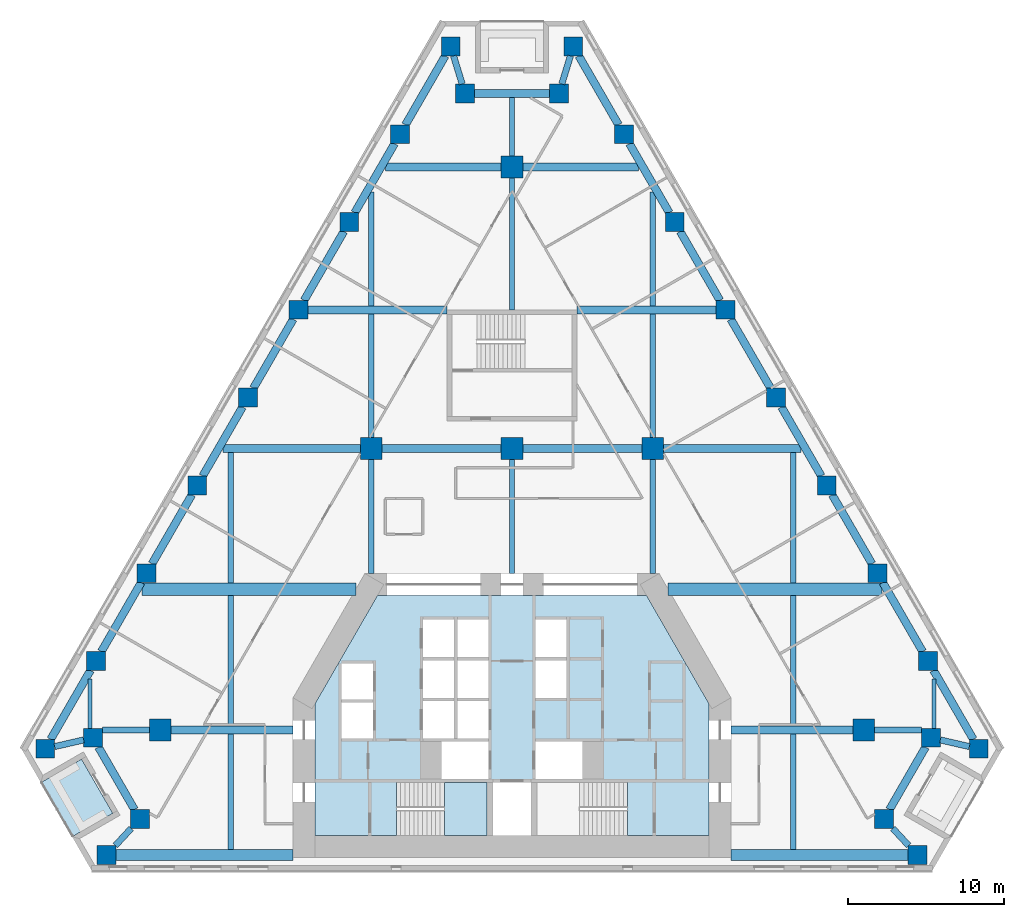
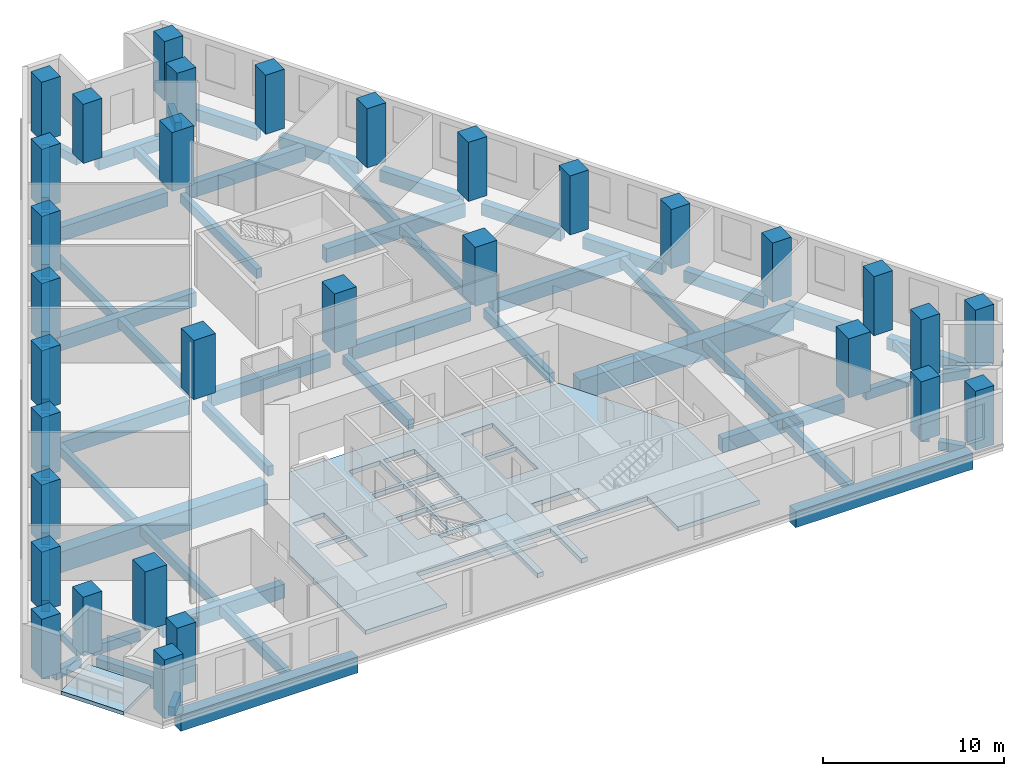
# One storey, part 1 of 9: 58 beams, 32 columns, 3 slabs, 1 element without a shape of its own.
"""IFC4 building model written with IfcOpenShell, lengths in metres."""

import ifcopenshell
import ifcopenshell.guid

model = None  # the IFC model being written
_history = None  # IfcOwnerHistory: only IFC2X3 demands one
_inside = {}  # id of a spatial element -> (the spatial element, [elements in it])
_under = {}  # id of a project, library or spatial element -> (it, [spatial elements below it])
_declared = {}  # id of a project -> (the project, [libraries it declares])
_typed = {}  # id of a type object -> (the type object, [elements of that type])
_made_of = {}  # id of a material, layer set ... -> (it, [elements and type objects made of it])


def new_model(schema):
    """Start an empty IFC model of exactly this schema.

    Asked for "IFC4X3", IfcOpenShell would pick the latest addendum, in which some entities
    have other attributes; the version numbers below select the first issue.
    IFC2X3 requires an IfcOwnerHistory on every rooted entity: one is made here for all.
    """
    global model, _history
    if schema == "IFC4X3":
        model = ifcopenshell.file(schema_version=(4, 3, 0, 0))
    else:
        model = ifcopenshell.file(schema=schema)
    _inside.clear()
    _under.clear()
    _declared.clear()
    _typed.clear()
    _made_of.clear()
    _history = None
    if model.schema == "IFC2X3":
        org = make("IfcOrganization", Name="unknown")
        user = make(
            "IfcPersonAndOrganization",
            ThePerson=make("IfcPerson", FamilyName="unknown"),
            TheOrganization=org,
        )
        app = make(
            "IfcApplication",
            ApplicationDeveloper=org,
            Version="unknown",
            ApplicationFullName="unknown",
            ApplicationIdentifier="unknown",
        )
        _history = make(
            "IfcOwnerHistory",
            OwningUser=user,
            OwningApplication=app,
            ChangeAction="ADDED",
            CreationDate=0,
        )
    return model


def make(cls, **values):
    """One entity of the class cls with the attributes given. An attribute that is None is left unset."""
    return model.create_entity(
        cls, **{name: value for name, value in values.items() if value is not None}
    )


def rooted(cls, **values):
    """An entity with a GlobalId (a new one), such as an element, a storey or a relation."""
    return make(cls, GlobalId=ifcopenshell.guid.new(), OwnerHistory=_history, **values)


def si_unit(unit_type, name, prefix=None):
    """IfcSIUnit, for example si_unit("LENGTHUNIT", "METRE", prefix="MILLI")."""
    return make("IfcSIUnit", UnitType=unit_type, Prefix=prefix, Name=name)


def assignment(units):
    """IfcUnitAssignment: the units of a project."""
    return None if units is None else make("IfcUnitAssignment", Units=units)


def point(xyz):
    """IfcCartesianPoint."""
    return None if xyz is None else make("IfcCartesianPoint", Coordinates=xyz)


def direction(xyz):
    """IfcDirection."""
    return None if xyz is None else make("IfcDirection", DirectionRatios=xyz)


def frame(location, z_axis=None, x_axis=None):
    """IfcAxis2Placement3D, a coordinate frame: its origin and axes. An axis left out is left unset."""
    return make(
        "IfcAxis2Placement3D",
        Location=point(location),
        Axis=direction(z_axis),
        RefDirection=direction(x_axis),
    )


def frame_2d(location, x_axis=None):
    """IfcAxis2Placement2D, a coordinate frame in the plane: its origin and x axis."""
    return make(
        "IfcAxis2Placement2D", Location=point(location), RefDirection=direction(x_axis)
    )


def origin():
    """The frame at (0, 0, 0) with its axes left unset."""
    return frame((0.0, 0.0, 0.0))


def origin_2d():
    """The frame at (0, 0) in the plane with its x axis left unset."""
    return frame_2d((0.0, 0.0))


def place(relative_to, where):
    """IfcLocalPlacement: puts the frame where relative to a parent placement (None: the world)."""
    return make(
        "IfcLocalPlacement", PlacementRelTo=relative_to, RelativePlacement=where
    )


def context(
    kind, dimensions, precision=None, world=None, true_north=None, identifier=None
):
    """IfcGeometricRepresentationContext, for example the 3D "Model" context."""
    return make(
        "IfcGeometricRepresentationContext",
        ContextIdentifier=identifier,
        ContextType=kind,
        CoordinateSpaceDimension=dimensions,
        Precision=precision,
        WorldCoordinateSystem=world,
        TrueNorth=true_north,
    )


def subcontext(parent, identifier, kind, view, scale=None):
    """IfcGeometricRepresentationSubContext, for example "Body" below "Model"."""
    return make(
        "IfcGeometricRepresentationSubContext",
        ContextIdentifier=identifier,
        ContextType=kind,
        ParentContext=parent,
        TargetScale=scale,
        TargetView=view,
    )


def project(units=None, contexts=None):
    """IfcProject with its units and contexts."""
    return rooted(
        "IfcProject",
        Name="project",
        RepresentationContexts=contexts,
        UnitsInContext=assignment(units),
    )


def spatial(cls, under=None, at=None, **own):
    """A site, building, storey or space (cls), placed at a placement, below another one or the project."""
    s = rooted(cls, ObjectPlacement=at, **own)
    if under is not None:
        _under.setdefault(under.id(), (under, []))[1].append(s)
    return s


def polyline(points):
    """IfcPolyline through the points."""
    return make("IfcPolyline", Points=[point(p) for p in points])


def profile(cls, at=None, kind="AREA", **sizes):
    """A parametric profile (cls). Its sizes go by their IFC names, for example OverallWidth=200.0."""
    return make(cls, ProfileType=kind, Position=at, **sizes)


def rectangle(**sizes):
    """IfcRectangleProfileDef."""
    return profile("IfcRectangleProfileDef", **sizes)


def outline(outer, holes=None, kind="AREA"):
    """IfcArbitraryClosedProfileDef: a profile drawn as a closed curve; with holes, ...WithVoids."""
    if holes is None:
        return make("IfcArbitraryClosedProfileDef", ProfileType=kind, OuterCurve=outer)
    return make(
        "IfcArbitraryProfileDefWithVoids",
        ProfileType=kind,
        OuterCurve=outer,
        InnerCurves=holes,
    )


def extrude(swept, where, along, depth):
    """IfcExtrudedAreaSolid: the profile swept, set in the frame where, extruded along a direction by depth."""
    return make(
        "IfcExtrudedAreaSolid",
        SweptArea=swept,
        Position=where,
        ExtrudedDirection=direction(along),
        Depth=depth,
    )


def shape(context_of_items, identifier, shape_type, items):
    """IfcShapeRepresentation: the items that make up one representation, for example the "Body"."""
    return make(
        "IfcShapeRepresentation",
        ContextOfItems=context_of_items,
        RepresentationIdentifier=identifier,
        RepresentationType=shape_type,
        Items=items,
    )


def material(Name=None, Category=None):
    """IfcMaterial."""
    return make("IfcMaterial", Name=Name, Category=Category)


def layer(
    of_material, thickness, ventilated=None, Name=None, Category=None, Priority=None
):
    """IfcMaterialLayer: one layer of a wall or slab, of a material (None: an air gap)."""
    return make(
        "IfcMaterialLayer",
        Material=of_material,
        LayerThickness=thickness,
        IsVentilated=ventilated,
        Name=Name,
        Category=Category,
        Priority=Priority,
    )


def layer_set(layers, Name=None):
    """IfcMaterialLayerSet."""
    return make("IfcMaterialLayerSet", MaterialLayers=layers, LayerSetName=Name)


def material_profile(
    of_material, cross_section, Name=None, Category=None, Priority=None
):
    """IfcMaterialProfile: a cross section and its material."""
    return make(
        "IfcMaterialProfile",
        Name=Name,
        Material=of_material,
        Profile=cross_section,
        Priority=Priority,
        Category=Category,
    )


def profile_set(profiles, Name=None, composite=None):
    """IfcMaterialProfileSet."""
    return make(
        "IfcMaterialProfileSet",
        Name=Name,
        MaterialProfiles=profiles,
        CompositeProfile=composite,
    )


def made_of(thing, what):
    """Note that an element or type object is made of a material, layer set ...; save() writes the relation."""
    if what is not None:
        _made_of.setdefault(what.id(), (what, []))[1].append(thing)
    return thing


def type_object(cls, material=None, **own):
    """A type object (cls), such as IfcWallType, which elements share."""
    return made_of(rooted(cls, **own), material)


def element(
    cls,
    number,
    at=None,
    inside=None,
    cuts=None,
    type_object=None,
    material=None,
    context=None,
    identifier="Body",
    shape_type=None,
    held_by="IfcProductDefinitionShape",
    body=None,
    shapes=None,
    **own,
):
    """One element of the class cls, such as IfcWall. Its Tag is "e" and its number.

    at: its placement. inside: the storey or other place that contains it. cuts: it is an
    opening in that element (IfcRelVoidsElement). A single representation is given by context,
    identifier, shape_type and body (its items); several are given by shapes. held_by: the class
    of the entity that holds the representations. save() writes the other relations.
    """
    e = rooted(cls, Tag="e%d" % number, ObjectPlacement=at, **own)
    if body is not None:
        shapes = [shape(context, identifier, shape_type, body)]
    if shapes is not None:
        e.Representation = make(held_by, Representations=shapes)
    if inside is not None:
        _inside.setdefault(inside.id(), (inside, []))[1].append(e)
    if cuts is not None:
        rooted(
            "IfcRelVoidsElement", RelatingBuildingElement=cuts, RelatedOpeningElement=e
        )
    if type_object is not None:
        _typed.setdefault(type_object.id(), (type_object, []))[1].append(e)
    return made_of(e, material)


def aggregate(whole, parts):
    """IfcRelAggregates: a whole, such as a stair, and the parts it consists of."""
    return rooted("IfcRelAggregates", RelatingObject=whole, RelatedObjects=parts)


def save(model, path):
    """Write the relations noted so far, then the file.

    IfcRelAggregates (storeys below a building ...), IfcRelContainedInSpatialStructure (elements
    in a storey), IfcRelDefinesByType, IfcRelAssociatesMaterial and IfcRelDeclares: one each for
    every whole, place, type object, material and project.
    """
    for whole, parts in _under.values():
        aggregate(whole, parts)
    for where, things in _inside.values():
        rooted(
            "IfcRelContainedInSpatialStructure",
            RelatedElements=things,
            RelatingStructure=where,
        )
    for kind, things in _typed.values():
        rooted("IfcRelDefinesByType", RelatedObjects=things, RelatingType=kind)
    for what, things in _made_of.values():
        rooted("IfcRelAssociatesMaterial", RelatedObjects=things, RelatingMaterial=what)
    for by, libraries in _declared.values():
        rooted("IfcRelDeclares", RelatingContext=by, RelatedDefinitions=libraries)
    model.write(path)


model = new_model("IFC4")

# Units and contexts
model_context = context("Model", 3, precision=1e-05, world=origin(), true_north=direction((0.0, 1.0)))
body_context = subcontext(model_context, "Body", "Model", "MODEL_VIEW")
ifc_project = project(units=[si_unit("LENGTHUNIT", "METRE"), si_unit("AREAUNIT", "SQUARE_METRE"), si_unit("VOLUMEUNIT", "CUBIC_METRE"), si_unit("PLANEANGLEUNIT", "RADIAN"), si_unit("MASSUNIT", "GRAM", prefix="KILO")], contexts=[model_context])

# Site, building, storey
site_placement = place(None, origin())
site = spatial("IfcSite", under=ifc_project, at=site_placement, CompositionType="ELEMENT")
building_placement = place(site_placement, origin())
building = spatial("IfcBuilding", under=site, at=building_placement, Name="Fogline Exchange Tower", CompositionType="ELEMENT")
storey_placement = place(building_placement, frame((0.0, 0.0, 68.89990234375)))
storey = spatial("IfcBuildingStorey", under=building, at=storey_placement, Name="L14", CompositionType="ELEMENT", Elevation=68.89990234375)

# Columns
ifc_material_1 = material(Name="Concrete C80", Category="concrete")
ifc_material_profile_1 = material_profile(ifc_material_1, rectangle(XDim=1.199951171875, YDim=1.199951171875, at=origin_2d()), Name="RC 1200x1200")
ifc_profile_set_1 = profile_set([ifc_material_profile_1], Name="Concrete C80")
column_type_1 = type_object("IfcColumnType", Name="C01", PredefinedType="COLUMN", material=ifc_profile_set_1)
for number, where, z_axis, x_axis, name in (
    (1, (-29.855712890625, 7.794189453125, 0.0), (0.0, 0.0, 1.0), (1.0, 0.0, 0.0), "SW-a"),
    (2, (-26.79638671875, 8.4951171875, 0.0), (0.0, 0.0, 1.0), (1.0, 0.0, 0.0), "SW-p4"),
    (3, (-23.79638671875, 3.299072265625, 0.0), (0.0, 0.0, 1.0), (1.0, 0.0, 0.0), "SW-p3"),
    (4, (-25.93310546875, 1.0, 0.0), (0.0, 0.0, 1.0), (1.0, 0.0, 0.0), "SW-b"),
    (5, (25.93310546875, 1.0, 0.0), (0.0, 0.0, 1.0), (1.0, 0.0, 0.0), "SE-a"),
    (6, (23.79638671875, 3.299072265625, 0.0), (0.0, 0.0, 1.0), (1.0, 0.0, 0.0), "SE-p4"),
    (7, (26.79638671875, 8.4951171875, 0.0), (0.0, 0.0, 1.0), (1.0, 0.0, 0.0), "SE-p3"),
    (8, (29.855712890625, 7.794189453125, 0.0), (0.0, 0.0, 1.0), (1.0, 0.0, 0.0), "SE-b"),
    (9, (26.614013671875, 13.408935546875, 0.0), (0.0, 0.0, 1.0), (1.0, 0.0, 0.0), "E1"),
    (10, (23.37255859375, 19.023681640625, 0.0), (0.0, 0.0, 1.0), (1.0, 0.0, 0.0), "E2"),
    (11, (20.130859375, 24.63818359375, 0.0), (0.0, 0.0, 1.0), (1.0, 0.0, 0.0), "E3"),
    (12, (16.88916015625, 30.2529296875, 0.0), (0.0, 0.0, 1.0), (1.0, 0.0, 0.0), "E4"),
    (13, (13.647705078125, 35.86767578125, 0.0), (0.0, 0.0, 1.0), (1.0, 0.0, 0.0), "E5"),
    (14, (10.406005859375, 41.482421875, 0.0), (0.0, 0.0, 1.0), (1.0, 0.0, 0.0), "E6"),
    (15, (7.164306640625, 47.096923828125, 0.0), (0.0, 0.0, 1.0), (1.0, 0.0, 0.0), "E7"),
    (16, (3.922607421875, 52.711669921875, 0.0), (0.0, 0.0, 1.0), (1.0, 0.0, 0.0), "N-a"),
    (17, (3.0, 49.711669921875, 0.0), (0.0, 0.0, 1.0), (1.0, 0.0, 0.0), "N-p4"),
    (18, (-3.0, 49.711669921875, 0.0), (0.0, 0.0, 1.0), (1.0, 0.0, 0.0), "N-p3"),
    (19, (-3.922607421875, 52.711669921875, 0.0), (0.0, 0.0, 1.0), (1.0, 0.0, 0.0), "N-b"),
    (20, (-7.164306640625, 47.096923828125, 0.0), (0.0, 0.0, 1.0), (1.0, 0.0, 0.0), "W1"),
    (21, (-10.406005859375, 41.482421875, 0.0), (0.0, 0.0, 1.0), (1.0, 0.0, 0.0), "W2"),
    (22, (-13.647705078125, 35.86767578125, 0.0), (0.0, 0.0, 1.0), (1.0, 0.0, 0.0), "W3"),
    (23, (-16.88916015625, 30.2529296875, 0.0), (0.0, 0.0, 1.0), (1.0, 0.0, 0.0), "W4"),
    (24, (-20.130859375, 24.63818359375, 0.0), (0.0, 0.0, 1.0), (1.0, 0.0, 0.0), "W5"),
    (25, (-23.37255859375, 19.023681640625, 0.0), (0.0, 0.0, 1.0), (1.0, 0.0, 0.0), "W6"),
    (26, (-26.614013671875, 13.408935546875, 0.0), (0.0, 0.0, 1.0), (1.0, 0.0, 0.0), "W7"),
):
    element("IfcColumn", number, at=place(storey_placement, frame(where, z_axis=z_axis, x_axis=x_axis)), inside=storey, type_object=column_type_1, Name=name, PredefinedType="COLUMN", context=body_context, shape_type="SweptSolid", body=[
        extrude(rectangle(XDim=1.199951171875, YDim=1.199951171875, at=origin_2d()), origin(), (0.0, 0.0, 1.0), 4.0),
    ])
ifc_material_profile_2 = material_profile(ifc_material_1, rectangle(XDim=1.39990234375, YDim=1.39990234375, at=origin_2d()), Name="RC 1400x1400")
ifc_profile_set_2 = profile_set([ifc_material_profile_2], Name="Concrete C80")
column_type_2 = type_object("IfcColumnType", Name="C02", PredefinedType="COLUMN", material=ifc_profile_set_2)
for number, where, z_axis, x_axis, name in (
    (27, (-9.0, 27.0, 0.0), (0.0, 0.0, 1.0), (1.0, 0.0, 0.0), "IC--9-27"),
    (28, (0.0, 27.0, 0.0), (0.0, 0.0, 1.0), (1.0, 0.0, 0.0), "IC-0-27"),
    (29, (9.0, 27.0, 0.0), (0.0, 0.0, 1.0), (1.0, 0.0, 0.0), "IC-9-27"),
    (30, (0.0, 45.0, 0.0), (0.0, 0.0, 1.0), (1.0, 0.0, 0.0), "IC-0-45"),
    (31, (-22.5, 9.0, 0.0), (0.0, 0.0, 1.0), (1.0, 0.0, 0.0), "IC--225-9"),
    (32, (22.5, 9.0, 0.0), (0.0, 0.0, 1.0), (1.0, 0.0, 0.0), "IC-225-9"),
):
    element("IfcColumn", number, at=place(storey_placement, frame(where, z_axis=z_axis, x_axis=x_axis)), inside=storey, type_object=column_type_2, Name=name, PredefinedType="COLUMN", context=body_context, shape_type="SweptSolid", body=[
        extrude(rectangle(XDim=1.39990234375, YDim=1.39990234375, at=origin_2d()), origin(), (0.0, 0.0, 1.0), 4.0),
    ])

# Beams
ifc_material_2 = material(Name="Concrete C40", Category="concrete")
ifc_material_profile_3 = material_profile(ifc_material_2, rectangle(XDim=0.300048828125, YDim=0.60009765625, at=origin_2d()), Name="RC 300x600")
ifc_profile_set_3 = profile_set([ifc_material_profile_3], Name="Concrete C40")
beam_type_1 = type_object("IfcBeamType", Name="B06", PredefinedType="BEAM", material=ifc_profile_set_3)
beam_1_placement = place(storey_placement, frame((0.0, 45.699951171875, -0.599853515625), z_axis=(0.0, 1.0, 0.0), x_axis=(-1.0, 0.0, 0.0)))
element("IfcBeam", 33, at=beam_1_placement, inside=storey, type_object=beam_type_1, Name="SB010", PredefinedType="BEAM", context=body_context, shape_type="SweptSolid", body=[
    extrude(rectangle(XDim=0.300048828125, YDim=0.60009765625, at=origin_2d()), origin(), (0.0, 0.0, 1.0), 3.76171875),
])
ifc_material_profile_4 = material_profile(ifc_material_2, rectangle(XDim=0.25, YDim=0.5, at=origin_2d()), Name="RC 250x500")
ifc_profile_set_4 = profile_set([ifc_material_profile_4], Name="Concrete C40")
beam_type_2 = type_object("IfcBeamType", Name="B08", PredefinedType="BEAM", material=ifc_profile_set_4)
for number, where, z_axis, x_axis, name in (
    (34, (-27.0, 9.09521484375, -0.5498046875), (0.0, 1.0, 0.0), (-1.0, 0.0, 0.0), "SB001"),
    (35, (27.0, 9.09521484375, -0.5498046875), (0.0, 1.0, 0.0), (-1.0, 0.0, 0.0), "SB017"),
):
    element("IfcBeam", number, at=place(storey_placement, frame(where, z_axis=z_axis, x_axis=x_axis)), inside=storey, type_object=beam_type_2, Name=name, PredefinedType="BEAM", context=body_context, shape_type="SweptSolid", body=[
        extrude(rectangle(XDim=0.25, YDim=0.5, at=origin_2d()), origin(), (0.0, 0.0, 1.0), 3.145263671875),
    ])
ifc_material_profile_5 = material_profile(ifc_material_2, rectangle(XDim=0.5, YDim=0.800048828125, at=origin_2d()), Name="RC 500x800")
ifc_profile_set_5 = profile_set([ifc_material_profile_5], Name="Concrete C40")
beam_type_3 = type_object("IfcBeamType", Name="B10", PredefinedType="BEAM", material=ifc_profile_set_5)
for number, where, z_axis, x_axis, name in (
    (36, (-26.449951171875, 7.895263671875, -0.699951171875), (0.500014024385, -0.866017306651, 0.0), (0.866017306651, 0.500014024385, 0.0), "RB002"),
    (37, (24.142578125, 3.89892578125, -0.699951171875), (0.500014024385, 0.866017306651, 0.0), (-0.866017306651, 0.500014024385, 0.0), "RB007"),
):
    element("IfcBeam", number, at=place(storey_placement, frame(where, z_axis=z_axis, x_axis=x_axis)), inside=storey, type_object=beam_type_3, Name=name, PredefinedType="BEAM", context=body_context, shape_type="SweptSolid", body=[
        extrude(rectangle(XDim=0.5, YDim=0.800048828125, at=origin_2d()), origin(), (0.0, 0.0, 1.0), 4.614501953125),
    ])
beam_2_placement = place(storey_placement, frame((29.50927734375, 8.394287109375, -0.699951171875), z_axis=(-0.500012659481, 0.866018094706, 0.0), x_axis=(-0.866018094706, -0.500012659481, 0.0)))
element("IfcBeam", 38, at=beam_2_placement, inside=storey, type_object=beam_type_3, Name="RB009", PredefinedType="BEAM", context=body_context, shape_type="SweptSolid", body=[
    extrude(rectangle(XDim=0.5, YDim=0.800048828125, at=origin_2d()), origin(), (0.0, 0.0, 1.0), 5.097412109375),
])
for number, where, z_axis, x_axis, name in (
    (39, (26.267578125, 14.0087890625, -0.699951171875), (-0.499956000529, 0.8660508054, 0.0), (-0.8660508054, -0.499956000529, 0.0), "RB010"),
    (40, (23.026123046875, 19.62353515625, -0.699951171875), (-0.499991921166, 0.866030068051, 0.0), (-0.866030068051, -0.499991921166, 0.0), "RB011"),
):
    element("IfcBeam", number, at=place(storey_placement, frame(where, z_axis=z_axis, x_axis=x_axis)), inside=storey, type_object=beam_type_3, Name=name, PredefinedType="BEAM", context=body_context, shape_type="SweptSolid", body=[
        extrude(rectangle(XDim=0.5, YDim=0.800048828125, at=origin_2d()), origin(), (0.0, 0.0, 1.0), 5.09765625),
    ])
beam_3_placement = place(storey_placement, frame((19.784423828125, 25.23828125, -0.699951171875), z_axis=(-0.500012659481, 0.866018094706, 0.0), x_axis=(-0.866018094706, -0.500012659481, 0.0)))
element("IfcBeam", 41, at=beam_3_placement, inside=storey, type_object=beam_type_3, Name="RB012", PredefinedType="BEAM", context=body_context, shape_type="SweptSolid", body=[
    extrude(rectangle(XDim=0.5, YDim=0.800048828125, at=origin_2d()), origin(), (0.0, 0.0, 1.0), 5.097412109375),
])
for number, where, z_axis, x_axis, name in (
    (42, (16.542724609375, 30.852783203125, -0.699951171875), (-0.499991921166, 0.866030068051, 0.0), (-0.866030068051, -0.499991921166, 0.0), "RB013"),
    (43, (13.301025390625, 36.467529296875, -0.699951171875), (-0.499991921166, 0.866030068051, 0.0), (-0.866030068051, -0.499991921166, 0.0), "RB014"),
    (44, (10.0595703125, 42.082275390625, -0.699951171875), (-0.499991921166, 0.866030068051, 0.0), (-0.866030068051, -0.499991921166, 0.0), "RB015"),
    (45, (6.81787109375, 47.697021484375, -0.699951171875), (-0.499991921166, 0.866030068051, 0.0), (-0.866030068051, -0.499991921166, 0.0), "RB016"),
):
    element("IfcBeam", number, at=place(storey_placement, frame(where, z_axis=z_axis, x_axis=x_axis)), inside=storey, type_object=beam_type_3, Name=name, PredefinedType="BEAM", context=body_context, shape_type="SweptSolid", body=[
        extrude(rectangle(XDim=0.5, YDim=0.800048828125, at=origin_2d()), origin(), (0.0, 0.0, 1.0), 5.09765625),
    ])
beam_4_placement = place(storey_placement, frame((2.39990234375, 49.711669921875, -0.699951171875), z_axis=(-1.0, 0.0, 0.0), x_axis=(0.0, -1.0, 0.0)))
element("IfcBeam", 46, at=beam_4_placement, inside=storey, type_object=beam_type_3, Name="RB018", PredefinedType="BEAM", context=body_context, shape_type="SweptSolid", body=[
    extrude(rectangle(XDim=0.5, YDim=0.800048828125, at=origin_2d()), origin(), (0.0, 0.0, 1.0), 4.7998046875),
])
for number, where, z_axis, x_axis, name in (
    (47, (-4.26904296875, 52.11181640625, -0.699951171875), (-0.499991921166, -0.866030068051, 0.0), (0.866030068051, -0.499991921166, 0.0), "RB020"),
    (48, (-7.5107421875, 46.4970703125, -0.699951171875), (-0.499991921166, -0.866030068051, 0.0), (0.866030068051, -0.499991921166, 0.0), "RB021"),
    (49, (-10.752197265625, 40.88232421875, -0.699951171875), (-0.499991921166, -0.866030068051, 0.0), (0.866030068051, -0.499991921166, 0.0), "RB022"),
    (50, (-13.993896484375, 35.267578125, -0.699951171875), (-0.499991921166, -0.866030068051, 0.0), (0.866030068051, -0.499991921166, 0.0), "RB023"),
):
    element("IfcBeam", number, at=place(storey_placement, frame(where, z_axis=z_axis, x_axis=x_axis)), inside=storey, type_object=beam_type_3, Name=name, PredefinedType="BEAM", context=body_context, shape_type="SweptSolid", body=[
        extrude(rectangle(XDim=0.5, YDim=0.800048828125, at=origin_2d()), origin(), (0.0, 0.0, 1.0), 5.09765625),
    ])
beam_5_placement = place(storey_placement, frame((-17.235595703125, 29.65283203125, -0.699951171875), z_axis=(-0.500012659481, -0.866018094706, 0.0), x_axis=(0.866018094706, -0.500012659481, 0.0)))
element("IfcBeam", 51, at=beam_5_placement, inside=storey, type_object=beam_type_3, Name="RB024", PredefinedType="BEAM", context=body_context, shape_type="SweptSolid", body=[
    extrude(rectangle(XDim=0.5, YDim=0.800048828125, at=origin_2d()), origin(), (0.0, 0.0, 1.0), 5.097412109375),
])
for number, where, z_axis, x_axis, name in (
    (52, (-20.477294921875, 24.038330078125, -0.699951171875), (-0.499991921166, -0.866030068051, 0.0), (0.866030068051, -0.499991921166, 0.0), "RB025"),
    (53, (-23.718994140625, 18.423583984375, -0.699951171875), (-0.499956000529, -0.8660508054, 0.0), (0.8660508054, -0.499956000529, 0.0), "RB026"),
):
    element("IfcBeam", number, at=place(storey_placement, frame(where, z_axis=z_axis, x_axis=x_axis)), inside=storey, type_object=beam_type_3, Name=name, PredefinedType="BEAM", context=body_context, shape_type="SweptSolid", body=[
        extrude(rectangle(XDim=0.5, YDim=0.800048828125, at=origin_2d()), origin(), (0.0, 0.0, 1.0), 5.09765625),
    ])
beam_6_placement = place(storey_placement, frame((-26.96044921875, 12.808837890625, -0.699951171875), z_axis=(-0.500012659481, -0.866018094706, 0.0), x_axis=(0.866018094706, -0.500012659481, 0.0)))
element("IfcBeam", 54, at=beam_6_placement, inside=storey, type_object=beam_type_3, Name="RB027", PredefinedType="BEAM", context=body_context, shape_type="SweptSolid", body=[
    extrude(rectangle(XDim=0.5, YDim=0.800048828125, at=origin_2d()), origin(), (0.0, 0.0, 1.0), 5.097412109375),
])
ifc_material_profile_6 = material_profile(ifc_material_2, rectangle(XDim=0.39990234375, YDim=0.60009765625, at=origin_2d()), Name="RC 400x600")
ifc_profile_set_6 = profile_set([ifc_material_profile_6], Name="Concrete C40")
beam_type_4 = type_object("IfcBeamType", Name="B11", PredefinedType="BEAM", material=ifc_profile_set_6)
beam_7_placement = place(storey_placement, frame((-29.255615234375, 7.931640625, -0.599853515625), z_axis=(0.974741606569, 0.223335622829, 0.0), x_axis=(-0.223335622829, 0.974741606569, 0.0)))
element("IfcBeam", 55, at=beam_7_placement, inside=storey, type_object=beam_type_4, Name="RB001", PredefinedType="BEAM", context=body_context, shape_type="SweptSolid", body=[
    extrude(rectangle(XDim=0.39990234375, YDim=0.60009765625, at=origin_2d()), origin(), (0.0, 0.0, 1.0), 1.907470703125),
])
for number, where, z_axis, x_axis, name in (
    (56, (-24.35400390625, 2.698974609375, -0.599853515625), (-0.680844217962, -0.732428256464, 0.0), (0.732428256464, -0.680844217962, 0.0), "RB003"),
    (57, (25.37548828125, 1.60009765625, -0.599853515625), (-0.680844217962, 0.732428256464, 0.0), (-0.732428256464, -0.680844217962, 0.0), "RB006"),
):
    element("IfcBeam", number, at=place(storey_placement, frame(where, z_axis=z_axis, x_axis=x_axis)), inside=storey, type_object=beam_type_4, Name=name, PredefinedType="BEAM", context=body_context, shape_type="SweptSolid", body=[
        extrude(rectangle(XDim=0.39990234375, YDim=0.60009765625, at=origin_2d()), origin(), (0.0, 0.0, 1.0), 1.500244140625),
    ])
beam_8_placement = place(storey_placement, frame((27.396240234375, 8.357666015625, -0.599853515625), z_axis=(0.974741606569, -0.223335622829, 0.0), x_axis=(0.223335622829, 0.974741606569, 0.0)))
element("IfcBeam", 58, at=beam_8_placement, inside=storey, type_object=beam_type_4, Name="RB008", PredefinedType="BEAM", context=body_context, shape_type="SweptSolid", body=[
    extrude(rectangle(XDim=0.39990234375, YDim=0.60009765625, at=origin_2d()), origin(), (0.0, 0.0, 1.0), 1.907470703125),
])
for number, where, z_axis, x_axis, name in (
    (59, (3.738037109375, 52.11181640625, -0.599853515625), (-0.293894535925, -0.955837853275, 0.0), (0.955837853275, -0.293894535925, 0.0), "RB017"),
    (60, (-3.1845703125, 50.311767578125, -0.599853515625), (-0.293894535925, 0.955837853275, 0.0), (-0.955837853275, -0.293894535925, 0.0), "RB019"),
):
    element("IfcBeam", number, at=place(storey_placement, frame(where, z_axis=z_axis, x_axis=x_axis)), inside=storey, type_object=beam_type_4, Name=name, PredefinedType="BEAM", context=body_context, shape_type="SweptSolid", body=[
        extrude(rectangle(XDim=0.39990234375, YDim=0.60009765625, at=origin_2d()), origin(), (0.0, 0.0, 1.0), 1.88330078125),
    ])
ifc_material_profile_7 = material_profile(ifc_material_2, rectangle(XDim=0.699951171875, YDim=1.10009765625, at=origin_2d()), Name="RC 700x1100")
ifc_profile_set_7 = profile_set([ifc_material_profile_7], Name="Concrete C40")
beam_type_5 = type_object("IfcBeamType", Name="B12", PredefinedType="BEAM", material=ifc_profile_set_7)
for number, where, z_axis, x_axis, name in (
    (61, (-25.3330078125, 1.0, -0.849853515625), (1.0, 0.0, 0.0), (0.0, 1.0, 0.0), "RB004"),
    (62, (14.0, 1.0, -0.849853515625), (1.0, 0.0, 0.0), (0.0, 1.0, 0.0), "RB005"),
):
    element("IfcBeam", number, at=place(storey_placement, frame(where, z_axis=z_axis, x_axis=x_axis)), inside=storey, type_object=beam_type_5, Name=name, PredefinedType="BEAM", context=body_context, shape_type="SweptSolid", body=[
        extrude(rectangle(XDim=0.699951171875, YDim=1.10009765625, at=origin_2d()), origin(), (0.0, 0.0, 1.0), 11.3330078125),
    ])
ifc_material_profile_8 = material_profile(ifc_material_2, rectangle(XDim=0.39990234375, YDim=0.64990234375, at=origin_2d()), Name="RC 400x650")
ifc_profile_set_8 = profile_set([ifc_material_profile_8], Name="Concrete C40")
beam_type_6 = type_object("IfcBeamType", Name="B13", PredefinedType="BEAM", material=ifc_profile_set_8)
for number, where, z_axis, x_axis, name in (
    (63, (-26.1962890625, 9.0, -0.625), (1.0, 0.0, 0.0), (0.0, 1.0, 0.0), "GB001"),
    (64, (23.199951171875, 9.0, -0.625), (1.0, 0.0, 0.0), (0.0, 1.0, 0.0), "GB004"),
):
    element("IfcBeam", number, at=place(storey_placement, frame(where, z_axis=z_axis, x_axis=x_axis)), inside=storey, type_object=beam_type_6, Name=name, PredefinedType="BEAM", context=body_context, shape_type="SweptSolid", body=[
        extrude(rectangle(XDim=0.39990234375, YDim=0.64990234375, at=origin_2d()), origin(), (0.0, 0.0, 1.0), 2.996337890625),
    ])
ifc_material_profile_9 = material_profile(ifc_material_2, rectangle(XDim=0.5, YDim=0.949951171875, at=origin_2d()), Name="RC 500x950")
ifc_profile_set_9 = profile_set([ifc_material_profile_9], Name="Concrete C40")
beam_type_7 = type_object("IfcBeamType", Name="B14", PredefinedType="BEAM", material=ifc_profile_set_9)
for number, where, z_axis, x_axis, name in (
    (65, (-21.800048828125, 9.0, -0.77490234375), (1.0, 0.0, 0.0), (0.0, 1.0, 0.0), "GB002"),
    (66, (14.0, 9.0, -0.77490234375), (1.0, 0.0, 0.0), (0.0, 1.0, 0.0), "GB003"),
):
    element("IfcBeam", number, at=place(storey_placement, frame(where, z_axis=z_axis, x_axis=x_axis)), inside=storey, type_object=beam_type_7, Name=name, PredefinedType="BEAM", context=body_context, shape_type="SweptSolid", body=[
        extrude(rectangle(XDim=0.5, YDim=0.949951171875, at=origin_2d()), origin(), (0.0, 0.0, 1.0), 7.800048828125),
    ])
beam_9_placement = place(storey_placement, frame((-18.478515625, 27.0, -0.77490234375), z_axis=(1.0, 0.0, 0.0), x_axis=(0.0, 1.0, 0.0)))
element("IfcBeam", 67, at=beam_9_placement, inside=storey, type_object=beam_type_7, Name="GB007", PredefinedType="BEAM", context=body_context, shape_type="SweptSolid", body=[
    extrude(rectangle(XDim=0.5, YDim=0.949951171875, at=origin_2d()), origin(), (0.0, 0.0, 1.0), 8.778564453125),
])
for number, where, z_axis, x_axis, name in (
    (68, (-8.300048828125, 27.0, -0.77490234375), (1.0, 0.0, 0.0), (0.0, 1.0, 0.0), "GB008"),
    (69, (0.699951171875, 27.0, -0.77490234375), (1.0, 0.0, 0.0), (0.0, 1.0, 0.0), "GB009"),
):
    element("IfcBeam", number, at=place(storey_placement, frame(where, z_axis=z_axis, x_axis=x_axis)), inside=storey, type_object=beam_type_7, Name=name, PredefinedType="BEAM", context=body_context, shape_type="SweptSolid", body=[
        extrude(rectangle(XDim=0.5, YDim=0.949951171875, at=origin_2d()), origin(), (0.0, 0.0, 1.0), 7.60009765625),
    ])
beam_10_placement = place(storey_placement, frame((9.699951171875, 27.0, -0.77490234375), z_axis=(1.0, 0.0, 0.0), x_axis=(0.0, 1.0, 0.0)))
element("IfcBeam", 70, at=beam_10_placement, inside=storey, type_object=beam_type_7, Name="GB010", PredefinedType="BEAM", context=body_context, shape_type="SweptSolid", body=[
    extrude(rectangle(XDim=0.5, YDim=0.949951171875, at=origin_2d()), origin(), (0.0, 0.0, 1.0), 8.778564453125),
])
for number, where, z_axis, x_axis, name in (
    (71, (-13.047607421875, 35.85693359375, -0.77490234375), (1.0, 0.0, 0.0), (0.0, 1.0, 0.0), "GB011"),
    (72, (4.14990234375, 35.85693359375, -0.77490234375), (1.0, 0.0, 0.0), (0.0, 1.0, 0.0), "GB012"),
):
    element("IfcBeam", number, at=place(storey_placement, frame(where, z_axis=z_axis, x_axis=x_axis)), inside=storey, type_object=beam_type_7, Name=name, PredefinedType="BEAM", context=body_context, shape_type="SweptSolid", body=[
        extrude(rectangle(XDim=0.5, YDim=0.949951171875, at=origin_2d()), origin(), (0.0, 0.0, 1.0), 8.897705078125),
    ])
for number, where, z_axis, x_axis, name in (
    (73, (-8.086181640625, 45.0, -0.77490234375), (1.0, 0.0, 0.0), (0.0, 1.0, 0.0), "GB013"),
    (74, (0.699951171875, 45.0, -0.77490234375), (1.0, 0.0, 0.0), (0.0, 1.0, 0.0), "GB014"),
):
    element("IfcBeam", number, at=place(storey_placement, frame(where, z_axis=z_axis, x_axis=x_axis)), inside=storey, type_object=beam_type_7, Name=name, PredefinedType="BEAM", context=body_context, shape_type="SweptSolid", body=[
        extrude(rectangle(XDim=0.5, YDim=0.949951171875, at=origin_2d()), origin(), (0.0, 0.0, 1.0), 7.38623046875),
    ])
ifc_material_profile_10 = material_profile(ifc_material_2, rectangle(XDim=0.800048828125, YDim=1.39990234375, at=origin_2d()), Name="RC 800x1400")
ifc_profile_set_10 = profile_set([ifc_material_profile_10], Name="Concrete C40")
beam_type_8 = type_object("IfcBeamType", Name="B15", PredefinedType="BEAM", material=ifc_profile_set_10)
for number, where, z_axis, x_axis, name in (
    (75, (-23.6748046875, 18.0, -1.0), (1.0, 0.0, 0.0), (0.0, 1.0, 0.0), "GB005"),
    (76, (9.989013671875, 18.0, -1.0), (1.0, 0.0, 0.0), (0.0, 1.0, 0.0), "GB006"),
):
    element("IfcBeam", number, at=place(storey_placement, frame(where, z_axis=z_axis, x_axis=x_axis)), inside=storey, type_object=beam_type_8, Name=name, PredefinedType="BEAM", context=body_context, shape_type="SweptSolid", body=[
        extrude(rectangle(XDim=0.800048828125, YDim=1.39990234375, at=origin_2d()), origin(), (0.0, 0.0, 1.0), 13.685791015625),
    ])
ifc_material_profile_11 = material_profile(ifc_material_2, rectangle(XDim=0.35009765625, YDim=0.64990234375, at=origin_2d()), Name="RC 350x650")
ifc_profile_set_11 = profile_set([ifc_material_profile_11], Name="Concrete C40")
beam_type_9 = type_object("IfcBeamType", Name="B16", PredefinedType="BEAM", material=ifc_profile_set_11)
beam_11_placement = place(storey_placement, frame((-18.0, 1.35009765625, -0.625), z_axis=(0.0, 1.0, 0.0), x_axis=(-1.0, 0.0, 0.0)))
element("IfcBeam", 77, at=beam_11_placement, inside=storey, type_object=beam_type_9, Name="SB002", PredefinedType="BEAM", context=body_context, shape_type="SweptSolid", body=[
    extrude(rectangle(XDim=0.35009765625, YDim=0.64990234375, at=origin_2d()), origin(), (0.0, 0.0, 1.0), 7.39990234375),
])
for number, where, z_axis, x_axis, name in (
    (78, (-18.0, 9.25, -0.625), (0.0, 1.0, 0.0), (-1.0, 0.0, 0.0), "SB003"),
    (79, (-18.0, 18.39990234375, -0.625), (0.0, 1.0, 0.0), (-1.0, 0.0, 0.0), "SB004"),
):
    element("IfcBeam", number, at=place(storey_placement, frame(where, z_axis=z_axis, x_axis=x_axis)), inside=storey, type_object=beam_type_9, Name=name, PredefinedType="BEAM", context=body_context, shape_type="SweptSolid", body=[
        extrude(rectangle(XDim=0.35009765625, YDim=0.64990234375, at=origin_2d()), origin(), (0.0, 0.0, 1.0), 8.35009765625),
    ])
beam_12_placement = place(storey_placement, frame((-9.0, 19.0, -0.625), z_axis=(0.0, 1.0, 0.0), x_axis=(-1.0, 0.0, 0.0)))
element("IfcBeam", 80, at=beam_12_placement, inside=storey, type_object=beam_type_9, Name="SB005", PredefinedType="BEAM", context=body_context, shape_type="SweptSolid", body=[
    extrude(rectangle(XDim=0.35009765625, YDim=0.64990234375, at=origin_2d()), origin(), (0.0, 0.0, 1.0), 7.300048828125),
])
beam_13_placement = place(storey_placement, frame((-9.0, 27.699951171875, -0.625), z_axis=(0.0, 1.0, 0.0), x_axis=(-1.0, 0.0, 0.0)))
element("IfcBeam", 81, at=beam_13_placement, inside=storey, type_object=beam_type_9, Name="SB006", PredefinedType="BEAM", context=body_context, shape_type="SweptSolid", body=[
    extrude(rectangle(XDim=0.35009765625, YDim=0.64990234375, at=origin_2d()), origin(), (0.0, 0.0, 1.0), 7.906982421875),
])
beam_14_placement = place(storey_placement, frame((-9.0, 36.10693359375, -0.625), z_axis=(0.0, 1.0, 0.0), x_axis=(-1.0, 0.0, 0.0)))
element("IfcBeam", 82, at=beam_14_placement, inside=storey, type_object=beam_type_9, Name="SB007", PredefinedType="BEAM", context=body_context, shape_type="SweptSolid", body=[
    extrude(rectangle(XDim=0.35009765625, YDim=0.64990234375, at=origin_2d()), origin(), (0.0, 0.0, 1.0), 7.310546875),
])
beam_15_placement = place(storey_placement, frame((0.0, 19.0, -0.625), z_axis=(0.0, 1.0, 0.0), x_axis=(-1.0, 0.0, 0.0)))
element("IfcBeam", 83, at=beam_15_placement, inside=storey, type_object=beam_type_9, Name="SB008", PredefinedType="BEAM", context=body_context, shape_type="SweptSolid", body=[
    extrude(rectangle(XDim=0.35009765625, YDim=0.64990234375, at=origin_2d()), origin(), (0.0, 0.0, 1.0), 7.300048828125),
])
beam_16_placement = place(storey_placement, frame((0.0, 35.85693359375, -0.625), z_axis=(0.0, 1.0, 0.0), x_axis=(-1.0, 0.0, 0.0)))
element("IfcBeam", 84, at=beam_16_placement, inside=storey, type_object=beam_type_9, Name="SB009", PredefinedType="BEAM", context=body_context, shape_type="SweptSolid", body=[
    extrude(rectangle(XDim=0.35009765625, YDim=0.64990234375, at=origin_2d()), origin(), (0.0, 0.0, 1.0), 8.443115234375),
])
beam_17_placement = place(storey_placement, frame((9.0, 19.0, -0.625), z_axis=(0.0, 1.0, 0.0), x_axis=(-1.0, 0.0, 0.0)))
element("IfcBeam", 85, at=beam_17_placement, inside=storey, type_object=beam_type_9, Name="SB011", PredefinedType="BEAM", context=body_context, shape_type="SweptSolid", body=[
    extrude(rectangle(XDim=0.35009765625, YDim=0.64990234375, at=origin_2d()), origin(), (0.0, 0.0, 1.0), 7.300048828125),
])
beam_18_placement = place(storey_placement, frame((9.0, 27.699951171875, -0.625), z_axis=(0.0, 1.0, 0.0), x_axis=(-1.0, 0.0, 0.0)))
element("IfcBeam", 86, at=beam_18_placement, inside=storey, type_object=beam_type_9, Name="SB012", PredefinedType="BEAM", context=body_context, shape_type="SweptSolid", body=[
    extrude(rectangle(XDim=0.35009765625, YDim=0.64990234375, at=origin_2d()), origin(), (0.0, 0.0, 1.0), 7.906982421875),
])
beam_19_placement = place(storey_placement, frame((9.0, 36.10693359375, -0.625), z_axis=(0.0, 1.0, 0.0), x_axis=(-1.0, 0.0, 0.0)))
element("IfcBeam", 87, at=beam_19_placement, inside=storey, type_object=beam_type_9, Name="SB013", PredefinedType="BEAM", context=body_context, shape_type="SweptSolid", body=[
    extrude(rectangle(XDim=0.35009765625, YDim=0.64990234375, at=origin_2d()), origin(), (0.0, 0.0, 1.0), 7.310546875),
])
beam_20_placement = place(storey_placement, frame((18.0, 1.35009765625, -0.625), z_axis=(0.0, 1.0, 0.0), x_axis=(-1.0, 0.0, 0.0)))
element("IfcBeam", 88, at=beam_20_placement, inside=storey, type_object=beam_type_9, Name="SB014", PredefinedType="BEAM", context=body_context, shape_type="SweptSolid", body=[
    extrude(rectangle(XDim=0.35009765625, YDim=0.64990234375, at=origin_2d()), origin(), (0.0, 0.0, 1.0), 7.39990234375),
])
for number, where, z_axis, x_axis, name in (
    (89, (18.0, 9.25, -0.625), (0.0, 1.0, 0.0), (-1.0, 0.0, 0.0), "SB015"),
    (90, (18.0, 18.39990234375, -0.625), (0.0, 1.0, 0.0), (-1.0, 0.0, 0.0), "SB016"),
):
    element("IfcBeam", number, at=place(storey_placement, frame(where, z_axis=z_axis, x_axis=x_axis)), inside=storey, type_object=beam_type_9, Name=name, PredefinedType="BEAM", context=body_context, shape_type="SweptSolid", body=[
        extrude(rectangle(XDim=0.35009765625, YDim=0.64990234375, at=origin_2d()), origin(), (0.0, 0.0, 1.0), 8.35009765625),
    ])

# Slabs
ifc_layer_1 = layer(ifc_material_2, 0.25)
ifc_layer_set_1 = layer_set([ifc_layer_1], Name="DK1")
slab_type_1 = type_object("IfcSlabType", Name="DK1", PredefinedType="FLOOR", material=ifc_layer_set_1)
slab_1_placement = place(storey_placement, frame((0.0, 0.0, -0.25)))
element("IfcSlab", 91, at=slab_1_placement, inside=storey, type_object=slab_type_1, Name="Balcony L14 SW", PredefinedType="FLOOR", context=body_context, shape_type="SweptSolid", body=[
    extrude(outline(polyline([(-30.1328125, 5.629150390625), (-28.1328125, 2.1650390625), (-25.534912109375, 3.6650390625), (-27.534912109375, 7.129150390625), (-30.1328125, 5.629150390625)])), origin(), (0.0, 0.0, 1.0), 0.25),
])
ifc_layer_2 = layer(ifc_material_2, 0.300048828125)
ifc_layer_set_2 = layer_set([ifc_layer_2], Name="S04")
slab_type_2 = type_object("IfcSlabType", Name="S04", PredefinedType="FLOOR", material=ifc_layer_set_2)
slab_2_placement = place(storey_placement, frame((0.0, 0.0, -0.2998046875)))
element("IfcSlab", 92, at=slab_2_placement, inside=storey, type_object=slab_type_2, Name="Core floor slab", PredefinedType="FLOOR", context=body_context, shape_type="SweptSolid", body=[
    extrude(outline(polyline([(-12.60009765625, 2.25), (-12.60009765625, 10.677490234375), (-8.603271484375, 17.60009765625), (8.603271484375, 17.60009765625), (12.60009765625, 10.677490234375), (12.60009765625, 2.25), (7.389892578125, 2.25), (7.389892578125, 5.64990234375), (1.60009765625, 5.64990234375), (1.60009765625, 2.25), (1.199951171875, 2.25), (1.199951171875, 5.64990234375), (-1.199951171875, 5.64990234375), (-1.199951171875, 2.25), (-1.60009765625, 2.25), (-1.60009765625, 5.64990234375), (-7.389892578125, 5.64990234375), (-7.389892578125, 2.25), (-12.60009765625, 2.25)]), holes=[polyline([(-1.5, 8.25), (-4.5, 8.25), (-4.5, 5.85009765625), (-1.5, 5.85009765625), (-1.5, 8.25)]), polyline([(-8.89990234375, 10.75), (-10.89990234375, 10.75), (-10.89990234375, 8.449951171875), (-8.89990234375, 8.449951171875), (-8.89990234375, 10.75)]), polyline([(-3.699951171875, 10.85009765625), (-5.699951171875, 10.85009765625), (-5.699951171875, 8.449951171875), (-3.699951171875, 8.449951171875), (-3.699951171875, 10.85009765625)]), polyline([(-1.5, 10.85009765625), (-3.5, 10.85009765625), (-3.5, 8.449951171875), (-1.5, 8.449951171875), (-1.5, 10.85009765625)]), polyline([(-8.89990234375, 13.25), (-10.89990234375, 13.25), (-10.89990234375, 10.949951171875), (-8.89990234375, 10.949951171875), (-8.89990234375, 13.25)]), polyline([(-3.699951171875, 13.449951171875), (-5.699951171875, 13.449951171875), (-5.699951171875, 11.050048828125), (-3.699951171875, 11.050048828125), (-3.699951171875, 13.449951171875)]), polyline([(-3.699951171875, 16.050048828125), (-5.699951171875, 16.050048828125), (-5.699951171875, 13.64990234375), (-3.699951171875, 13.64990234375), (-3.699951171875, 16.050048828125)]), polyline([(4.5, 8.25), (1.5, 8.25), (1.5, 5.85009765625), (4.5, 5.85009765625), (4.5, 8.25)]), polyline([(-1.5, 13.449951171875), (-3.5, 13.449951171875), (-3.5, 11.050048828125), (-1.5, 11.050048828125), (-1.5, 13.449951171875)]), polyline([(3.5, 13.449951171875), (1.5, 13.449951171875), (1.5, 11.050048828125), (3.5, 11.050048828125), (3.5, 13.449951171875)]), polyline([(-1.5, 16.050048828125), (-3.5, 16.050048828125), (-3.5, 13.64990234375), (-1.5, 13.64990234375), (-1.5, 16.050048828125)]), polyline([(3.5, 16.050048828125), (1.5, 16.050048828125), (1.5, 13.64990234375), (3.5, 13.64990234375), (3.5, 16.050048828125)])]), origin(), (0.0, 0.0, 1.0), 0.2998046875),
])

# Stair, slab
stair_type = type_object("IfcStairType", Name="STR24-1667", PredefinedType="HALF_TURN_STAIR", material=ifc_material_2)
stair_placement = place(storey_placement, origin())
stair = element("IfcStair", 93, at=stair_placement, inside=storey, type_object=stair_type, Name="Stair ST1", PredefinedType="HALF_TURN_STAIR")
ifc_layer_3 = layer(ifc_material_2, 0.199951171875)
ifc_layer_set_3 = layer_set([ifc_layer_3], Name="SL200")
slab_type_3 = type_object("IfcSlabType", Name="SL200", PredefinedType="LANDING", material=ifc_layer_set_3)
slab_3_placement = place(storey_placement, frame((0.0, 0.0, 1.800048828125)))
slab_3 = element("IfcSlab", 94, at=slab_3_placement, type_object=slab_type_3, Name="ST1 landing 1", PredefinedType="LANDING", context=body_context, shape_type="SweptSolid", body=[
    extrude(outline(polyline([(-4.320068359375, 2.25), (-1.60009765625, 2.25), (-1.60009765625, 5.64990234375), (-4.320068359375, 5.64990234375), (-4.320068359375, 2.25)])), origin(), (0.0, 0.0, 1.0), 0.199951171875),
])
aggregate(stair, [slab_3])

save(model, "model.ifc")
